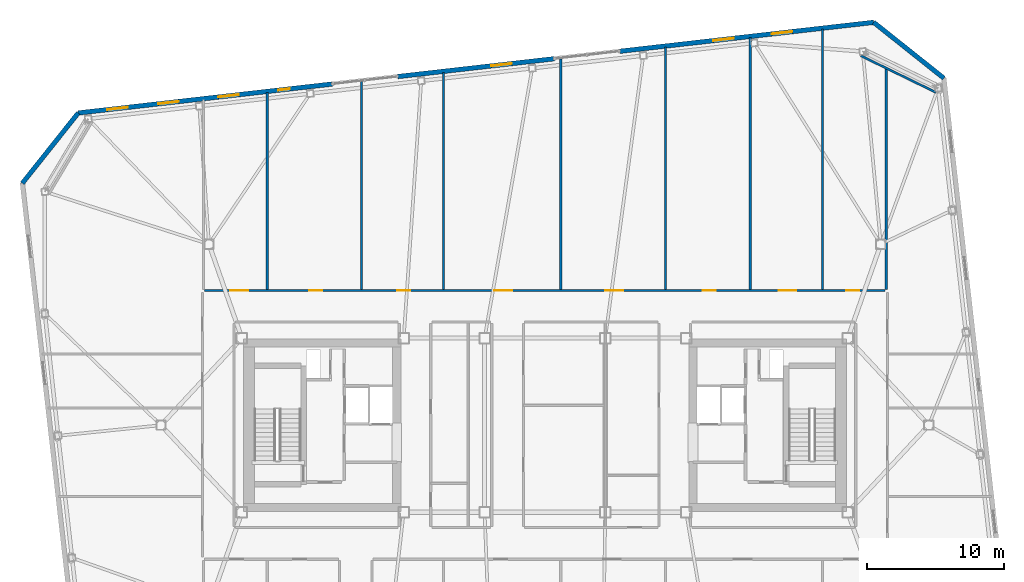
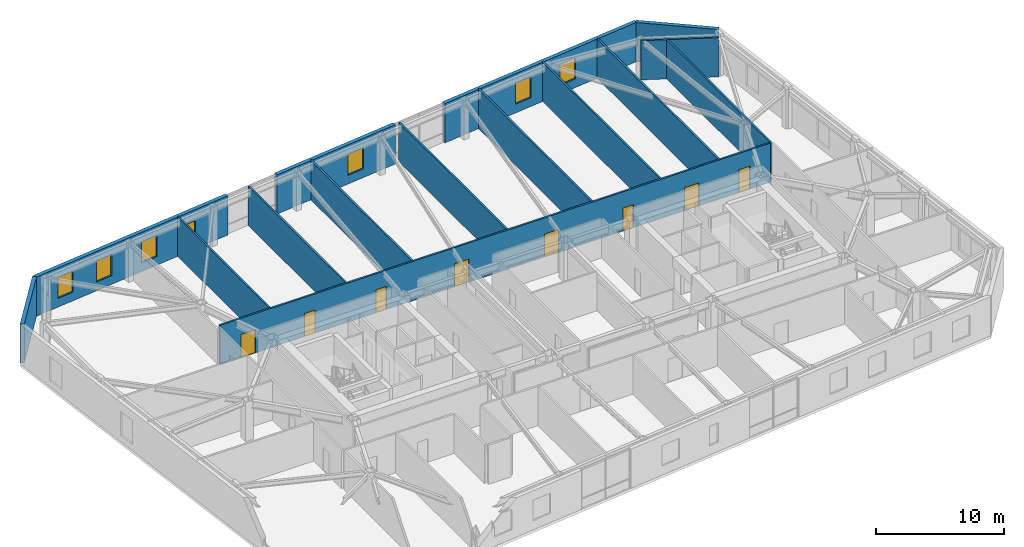
# One storey, part 15 of 19: 15 walls, 8 doors, 7 windows, 15 openings.
"""IFC4 building model written with IfcOpenShell, lengths in metres."""

import ifcopenshell
import ifcopenshell.guid

model = None  # the IFC model being written
_history = None  # IfcOwnerHistory: only IFC2X3 demands one
_inside = {}  # id of a spatial element -> (the spatial element, [elements in it])
_under = {}  # id of a project, library or spatial element -> (it, [spatial elements below it])
_declared = {}  # id of a project -> (the project, [libraries it declares])
_typed = {}  # id of a type object -> (the type object, [elements of that type])
_made_of = {}  # id of a material, layer set ... -> (it, [elements and type objects made of it])


def new_model(schema):
    """Start an empty IFC model of exactly this schema.

    Asked for "IFC4X3", IfcOpenShell would pick the latest addendum, in which some entities
    have other attributes; the version numbers below select the first issue.
    IFC2X3 requires an IfcOwnerHistory on every rooted entity: one is made here for all.
    """
    global model, _history
    if schema == "IFC4X3":
        model = ifcopenshell.file(schema_version=(4, 3, 0, 0))
    else:
        model = ifcopenshell.file(schema=schema)
    _inside.clear()
    _under.clear()
    _declared.clear()
    _typed.clear()
    _made_of.clear()
    _history = None
    if model.schema == "IFC2X3":
        org = make("IfcOrganization", Name="unknown")
        user = make(
            "IfcPersonAndOrganization",
            ThePerson=make("IfcPerson", FamilyName="unknown"),
            TheOrganization=org,
        )
        app = make(
            "IfcApplication",
            ApplicationDeveloper=org,
            Version="unknown",
            ApplicationFullName="unknown",
            ApplicationIdentifier="unknown",
        )
        _history = make(
            "IfcOwnerHistory",
            OwningUser=user,
            OwningApplication=app,
            ChangeAction="ADDED",
            CreationDate=0,
        )
    return model


def make(cls, **values):
    """One entity of the class cls with the attributes given. An attribute that is None is left unset."""
    return model.create_entity(
        cls, **{name: value for name, value in values.items() if value is not None}
    )


def rooted(cls, **values):
    """An entity with a GlobalId (a new one), such as an element, a storey or a relation."""
    return make(cls, GlobalId=ifcopenshell.guid.new(), OwnerHistory=_history, **values)


def si_unit(unit_type, name, prefix=None):
    """IfcSIUnit, for example si_unit("LENGTHUNIT", "METRE", prefix="MILLI")."""
    return make("IfcSIUnit", UnitType=unit_type, Prefix=prefix, Name=name)


def assignment(units):
    """IfcUnitAssignment: the units of a project."""
    return None if units is None else make("IfcUnitAssignment", Units=units)


def point(xyz):
    """IfcCartesianPoint."""
    return None if xyz is None else make("IfcCartesianPoint", Coordinates=xyz)


def direction(xyz):
    """IfcDirection."""
    return None if xyz is None else make("IfcDirection", DirectionRatios=xyz)


def frame(location, z_axis=None, x_axis=None):
    """IfcAxis2Placement3D, a coordinate frame: its origin and axes. An axis left out is left unset."""
    return make(
        "IfcAxis2Placement3D",
        Location=point(location),
        Axis=direction(z_axis),
        RefDirection=direction(x_axis),
    )


def frame_2d(location, x_axis=None):
    """IfcAxis2Placement2D, a coordinate frame in the plane: its origin and x axis."""
    return make(
        "IfcAxis2Placement2D", Location=point(location), RefDirection=direction(x_axis)
    )


def origin():
    """The frame at (0, 0, 0) with its axes left unset."""
    return frame((0.0, 0.0, 0.0))


def place(relative_to, where):
    """IfcLocalPlacement: puts the frame where relative to a parent placement (None: the world)."""
    return make(
        "IfcLocalPlacement", PlacementRelTo=relative_to, RelativePlacement=where
    )


def context(
    kind, dimensions, precision=None, world=None, true_north=None, identifier=None
):
    """IfcGeometricRepresentationContext, for example the 3D "Model" context."""
    return make(
        "IfcGeometricRepresentationContext",
        ContextIdentifier=identifier,
        ContextType=kind,
        CoordinateSpaceDimension=dimensions,
        Precision=precision,
        WorldCoordinateSystem=world,
        TrueNorth=true_north,
    )


def subcontext(parent, identifier, kind, view, scale=None):
    """IfcGeometricRepresentationSubContext, for example "Body" below "Model"."""
    return make(
        "IfcGeometricRepresentationSubContext",
        ContextIdentifier=identifier,
        ContextType=kind,
        ParentContext=parent,
        TargetScale=scale,
        TargetView=view,
    )


def project(units=None, contexts=None):
    """IfcProject with its units and contexts."""
    return rooted(
        "IfcProject",
        Name="project",
        RepresentationContexts=contexts,
        UnitsInContext=assignment(units),
    )


def spatial(cls, under=None, at=None, **own):
    """A site, building, storey or space (cls), placed at a placement, below another one or the project."""
    s = rooted(cls, ObjectPlacement=at, **own)
    if under is not None:
        _under.setdefault(under.id(), (under, []))[1].append(s)
    return s


def profile(cls, at=None, kind="AREA", **sizes):
    """A parametric profile (cls). Its sizes go by their IFC names, for example OverallWidth=200.0."""
    return make(cls, ProfileType=kind, Position=at, **sizes)


def rectangle(**sizes):
    """IfcRectangleProfileDef."""
    return profile("IfcRectangleProfileDef", **sizes)


def extrude(swept, where, along, depth):
    """IfcExtrudedAreaSolid: the profile swept, set in the frame where, extruded along a direction by depth."""
    return make(
        "IfcExtrudedAreaSolid",
        SweptArea=swept,
        Position=where,
        ExtrudedDirection=direction(along),
        Depth=depth,
    )


def shape(context_of_items, identifier, shape_type, items):
    """IfcShapeRepresentation: the items that make up one representation, for example the "Body"."""
    return make(
        "IfcShapeRepresentation",
        ContextOfItems=context_of_items,
        RepresentationIdentifier=identifier,
        RepresentationType=shape_type,
        Items=items,
    )


def material(Name=None, Category=None):
    """IfcMaterial."""
    return make("IfcMaterial", Name=Name, Category=Category)


def layer(
    of_material, thickness, ventilated=None, Name=None, Category=None, Priority=None
):
    """IfcMaterialLayer: one layer of a wall or slab, of a material (None: an air gap)."""
    return make(
        "IfcMaterialLayer",
        Material=of_material,
        LayerThickness=thickness,
        IsVentilated=ventilated,
        Name=Name,
        Category=Category,
        Priority=Priority,
    )


def layer_set(layers, Name=None):
    """IfcMaterialLayerSet."""
    return make("IfcMaterialLayerSet", MaterialLayers=layers, LayerSetName=Name)


def made_of(thing, what):
    """Note that an element or type object is made of a material, layer set ...; save() writes the relation."""
    if what is not None:
        _made_of.setdefault(what.id(), (what, []))[1].append(thing)
    return thing


def type_object(cls, material=None, **own):
    """A type object (cls), such as IfcWallType, which elements share."""
    return made_of(rooted(cls, **own), material)


def element(
    cls,
    number,
    at=None,
    inside=None,
    cuts=None,
    type_object=None,
    material=None,
    context=None,
    identifier="Body",
    shape_type=None,
    held_by="IfcProductDefinitionShape",
    body=None,
    shapes=None,
    **own,
):
    """One element of the class cls, such as IfcWall. Its Tag is "e" and its number.

    at: its placement. inside: the storey or other place that contains it. cuts: it is an
    opening in that element (IfcRelVoidsElement). A single representation is given by context,
    identifier, shape_type and body (its items); several are given by shapes. held_by: the class
    of the entity that holds the representations. save() writes the other relations.
    """
    e = rooted(cls, Tag="e%d" % number, ObjectPlacement=at, **own)
    if body is not None:
        shapes = [shape(context, identifier, shape_type, body)]
    if shapes is not None:
        e.Representation = make(held_by, Representations=shapes)
    if inside is not None:
        _inside.setdefault(inside.id(), (inside, []))[1].append(e)
    if cuts is not None:
        rooted(
            "IfcRelVoidsElement", RelatingBuildingElement=cuts, RelatedOpeningElement=e
        )
    if type_object is not None:
        _typed.setdefault(type_object.id(), (type_object, []))[1].append(e)
    return made_of(e, material)


def fill(opening, filler):
    """IfcRelFillsElement: the door or window that sits in an opening."""
    return rooted(
        "IfcRelFillsElement",
        RelatingOpeningElement=opening,
        RelatedBuildingElement=filler,
    )


def aggregate(whole, parts):
    """IfcRelAggregates: a whole, such as a stair, and the parts it consists of."""
    return rooted("IfcRelAggregates", RelatingObject=whole, RelatedObjects=parts)


def save(model, path):
    """Write the relations noted so far, then the file.

    IfcRelAggregates (storeys below a building ...), IfcRelContainedInSpatialStructure (elements
    in a storey), IfcRelDefinesByType, IfcRelAssociatesMaterial and IfcRelDeclares: one each for
    every whole, place, type object, material and project.
    """
    for whole, parts in _under.values():
        aggregate(whole, parts)
    for where, things in _inside.values():
        rooted(
            "IfcRelContainedInSpatialStructure",
            RelatedElements=things,
            RelatingStructure=where,
        )
    for kind, things in _typed.values():
        rooted("IfcRelDefinesByType", RelatedObjects=things, RelatingType=kind)
    for what, things in _made_of.values():
        rooted("IfcRelAssociatesMaterial", RelatedObjects=things, RelatingMaterial=what)
    for by, libraries in _declared.values():
        rooted("IfcRelDeclares", RelatingContext=by, RelatedDefinitions=libraries)
    model.write(path)


model = new_model("IFC4")

# Units and contexts
model_context = context("Model", 3, precision=1e-05, world=origin(), true_north=direction((0.0, 1.0)))
body_context = subcontext(model_context, "Body", "Model", "MODEL_VIEW")
ifc_project = project(units=[si_unit("LENGTHUNIT", "METRE"), si_unit("AREAUNIT", "SQUARE_METRE"), si_unit("VOLUMEUNIT", "CUBIC_METRE"), si_unit("PLANEANGLEUNIT", "RADIAN"), si_unit("MASSUNIT", "GRAM", prefix="KILO")], contexts=[model_context])

# Site, building, storey
site_placement = place(None, origin())
site = spatial("IfcSite", under=ifc_project, at=site_placement, CompositionType="ELEMENT")
building_placement = place(site_placement, origin())
building = spatial("IfcBuilding", under=site, at=building_placement, Name="Tavrogorsk Clinical Tower", CompositionType="ELEMENT")
storey_placement = place(building_placement, frame((0.0, 0.0, 263.0)))
storey = spatial("IfcBuildingStorey", under=building, at=storey_placement, Name="L61", CompositionType="ELEMENT", Elevation=263.0)

# Wall
ifc_material_1 = material(Name="Lightweight concrete blockwork B15", Category="masonry")
ifc_layer_1 = layer(ifc_material_1, 0.159912109375)
ifc_layer_set_1 = layer_set([ifc_layer_1], Name="Lightweight concrete blockwork B15")
wall_type_1 = type_object("IfcWallType", Name="PartitionWall_160", PredefinedType="PARTITIONING", material=ifc_layer_set_1)
wall_1_placement = place(storey_placement, frame((28.5283203125, 24.27099609375, 0.0), z_axis=(0.0, 0.0, 1.0), x_axis=(-0.898820692789, 0.438316509173, 0.0)))
element("IfcWall", 1, at=wall_1_placement, inside=storey, type_object=wall_type_1, Name="L61 Corner Exoskeleton Brace Furring Wall 2", PredefinedType="PARTITIONING", context=body_context, shape_type="SweptSolid", body=[
    extrude(rectangle(XDim=6.10693359375, YDim=0.159912109375, at=frame_2d((3.053466796875, 0.0))), origin(), (0.0, 0.0, 1.0), 3.739990234375),
])

# Wall, openings, doors
wall_2_placement = place(storey_placement, frame((-24.81494140625, 9.830078125, 0.0), z_axis=(0.0, 0.0, 1.0), x_axis=(1.0, 0.0, 0.0)))
wall_2 = element("IfcWall", 2, at=wall_2_placement, inside=storey, type_object=wall_type_1, Name="L61 Corridor Partition 02", PredefinedType="PARTITIONING", context=body_context, shape_type="SweptSolid", body=[
    extrude(rectangle(XDim=49.6298828125, YDim=0.159912109375, at=frame_2d((24.81494140625, 0.0))), origin(), (0.0, 0.0, 1.0), 3.739990234375),
])
opening_1_placement = place(wall_2_placement, frame((1.869140625, 0.0, 0.0)))
opening_1 = element("IfcOpeningElement", 3, at=opening_1_placement, cuts=wall_2, Name="Opening ID-01", PredefinedType="OPENING", context=body_context, shape_type="SweptSolid", body=[
    extrude(rectangle(XDim=1.300048828125, YDim=2.199951171875, at=frame_2d((0.64990234375, 1.10009765625))), frame((0.0, 0.08984375, 0.0), z_axis=(0.0, -1.0, 0.0), x_axis=(1.0, 0.0, 0.0)), (0.0, 0.0, 1.0), 0.179931640625),
])
opening_2_placement = place(wall_2_placement, frame((7.612548828125, 0.0, 0.0)))
opening_2 = element("IfcOpeningElement", 4, at=opening_2_placement, cuts=wall_2, Name="Opening ID-02", PredefinedType="OPENING", context=body_context, shape_type="SweptSolid", body=[
    extrude(rectangle(XDim=0.949951171875, YDim=2.199951171875, at=frame_2d((0.47509765625, 1.10009765625))), frame((0.0, 0.08984375, 0.0), z_axis=(0.0, -1.0, 0.0), x_axis=(1.0, 0.0, 0.0)), (0.0, 0.0, 1.0), 0.179931640625),
])
opening_3_placement = place(wall_2_placement, frame((14.03759765625, 0.0, 0.0)))
opening_3 = element("IfcOpeningElement", 5, at=opening_3_placement, cuts=wall_2, Name="Opening ID-02", PredefinedType="OPENING", context=body_context, shape_type="SweptSolid", body=[
    extrude(rectangle(XDim=0.949951171875, YDim=2.199951171875, at=frame_2d((0.47509765625, 1.10009765625))), frame((0.0, 0.08984375, 0.0), z_axis=(0.0, -1.0, 0.0), x_axis=(1.0, 0.0, 0.0)), (0.0, 0.0, 1.0), 0.179931640625),
])
opening_4_placement = place(wall_2_placement, frame((21.125, 0.0, 0.0)))
opening_4 = element("IfcOpeningElement", 6, at=opening_4_placement, cuts=wall_2, Name="Opening ID-01", PredefinedType="OPENING", context=body_context, shape_type="SweptSolid", body=[
    extrude(rectangle(XDim=1.300048828125, YDim=2.199951171875, at=frame_2d((0.64990234375, 1.10009765625))), frame((0.0, 0.08984375, 0.0), z_axis=(0.0, -1.0, 0.0), x_axis=(1.0, 0.0, 0.0)), (0.0, 0.0, 1.0), 0.179931640625),
])
opening_5_placement = place(wall_2_placement, frame((29.22509765625, 0.0, 0.0)))
opening_5 = element("IfcOpeningElement", 7, at=opening_5_placement, cuts=wall_2, Name="Opening ID-01", PredefinedType="OPENING", context=body_context, shape_type="SweptSolid", body=[
    extrude(rectangle(XDim=1.300048828125, YDim=2.199951171875, at=frame_2d((0.64990234375, 1.10009765625))), frame((0.0, 0.08984375, 0.0), z_axis=(0.0, -1.0, 0.0), x_axis=(1.0, 0.0, 0.0)), (0.0, 0.0, 1.0), 0.179931640625),
])
opening_6_placement = place(wall_2_placement, frame((36.3125, 0.0, 0.0)))
opening_6 = element("IfcOpeningElement", 8, at=opening_6_placement, cuts=wall_2, Name="Opening ID-02", PredefinedType="OPENING", context=body_context, shape_type="SweptSolid", body=[
    extrude(rectangle(XDim=0.949951171875, YDim=2.199951171875, at=frame_2d((0.47509765625, 1.10009765625))), frame((0.0, 0.08984375, 0.0), z_axis=(0.0, -1.0, 0.0), x_axis=(1.0, 0.0, 0.0)), (0.0, 0.0, 1.0), 0.179931640625),
])
opening_7_placement = place(wall_2_placement, frame((41.862548828125, 0.0, 0.0)))
opening_7 = element("IfcOpeningElement", 9, at=opening_7_placement, cuts=wall_2, Name="Opening ID-01", PredefinedType="OPENING", context=body_context, shape_type="SweptSolid", body=[
    extrude(rectangle(XDim=1.300048828125, YDim=2.199951171875, at=frame_2d((0.64990234375, 1.10009765625))), frame((0.0, 0.08984375, 0.0), z_axis=(0.0, -1.0, 0.0), x_axis=(1.0, 0.0, 0.0)), (0.0, 0.0, 1.0), 0.179931640625),
])
opening_8_placement = place(wall_2_placement, frame((46.805908203125, 0.0, 0.0)))
opening_8 = element("IfcOpeningElement", 10, at=opening_8_placement, cuts=wall_2, Name="Opening ID-02", PredefinedType="OPENING", context=body_context, shape_type="SweptSolid", body=[
    extrude(rectangle(XDim=0.949951171875, YDim=2.199951171875, at=frame_2d((0.47509765625, 1.10009765625))), frame((0.0, 0.08984375, 0.0), z_axis=(0.0, -1.0, 0.0), x_axis=(1.0, 0.0, 0.0)), (0.0, 0.0, 1.0), 0.179931640625),
])
ifc_material_2 = material(Name="Laminated timber leaf on aluminium frame", Category="wood")
door_type_1 = type_object("IfcDoorType", Name="InteriorDoor_ID02_950", OperationType="NOTDEFINED", PredefinedType="DOOR", material=ifc_material_2)
door_1_placement = place(opening_2_placement, origin())
door_1 = element("IfcDoor", 11, at=door_1_placement, inside=storey, type_object=door_type_1, Name="L61 North Multidisciplinary Case Room 02A Door", OperationType="SINGLE_SWING_RIGHT", OverallHeight=2.199951171875, OverallWidth=0.949951171875, PredefinedType="DOOR", context=body_context, shape_type="SweptSolid", body=[
    extrude(rectangle(XDim=0.949951171875, YDim=2.199951171875, at=frame_2d((0.47509765625, 1.10009765625))), frame((0.0, 0.02490234375, 0.0), z_axis=(0.0, -1.0, 0.0), x_axis=(1.0, 0.0, 0.0)), (0.0, 0.0, 1.0), 0.050048828125),
])
fill(opening_2, door_1)
door_2_placement = place(opening_3_placement, origin())
door_2 = element("IfcDoor", 12, at=door_2_placement, inside=storey, type_object=door_type_1, Name="L61 North Patient & Family Quiet Lounge 02B Door", OperationType="SINGLE_SWING_LEFT", OverallHeight=2.199951171875, OverallWidth=0.949951171875, PredefinedType="DOOR", context=body_context, shape_type="SweptSolid", body=[
    extrude(rectangle(XDim=0.949951171875, YDim=2.199951171875, at=frame_2d((0.47509765625, 1.10009765625))), frame((0.0, 0.02490234375, 0.0), z_axis=(0.0, -1.0, 0.0), x_axis=(1.0, 0.0, 0.0)), (0.0, 0.0, 1.0), 0.050048828125),
])
fill(opening_3, door_2)
door_3_placement = place(opening_6_placement, origin())
door_3 = element("IfcDoor", 13, at=door_3_placement, inside=storey, type_object=door_type_1, Name="L61 North Clinical Examination Suite 04A Door", OperationType="SINGLE_SWING_RIGHT", OverallHeight=2.199951171875, OverallWidth=0.949951171875, PredefinedType="DOOR", context=body_context, shape_type="SweptSolid", body=[
    extrude(rectangle(XDim=0.949951171875, YDim=2.199951171875, at=frame_2d((0.47509765625, 1.10009765625))), frame((0.0, 0.02490234375, 0.0), z_axis=(0.0, -1.0, 0.0), x_axis=(1.0, 0.0, 0.0)), (0.0, 0.0, 1.0), 0.050048828125),
])
fill(opening_6, door_3)
door_4_placement = place(opening_8_placement, origin())
door_4 = element("IfcDoor", 14, at=door_4_placement, inside=storey, type_object=door_type_1, Name="L61 North Diagnostic Ultrasound Suite 05 Door", OperationType="SINGLE_SWING_RIGHT", OverallHeight=2.199951171875, OverallWidth=0.949951171875, PredefinedType="DOOR", context=body_context, shape_type="SweptSolid", body=[
    extrude(rectangle(XDim=0.949951171875, YDim=2.199951171875, at=frame_2d((0.47509765625, 1.10009765625))), frame((0.0, 0.02490234375, 0.0), z_axis=(0.0, -1.0, 0.0), x_axis=(1.0, 0.0, 0.0)), (0.0, 0.0, 1.0), 0.050048828125),
])
fill(opening_8, door_4)
ifc_material_3 = material(Name="Antibacterial HPL medical leaf on aluminium frame", Category="aluminium")
door_type_2 = type_object("IfcDoorType", Name="WardBedDoor_ID01_1300", OperationType="NOTDEFINED", PredefinedType="DOOR", material=ifc_material_3)
door_5_placement = place(opening_1_placement, origin())
door_5 = element("IfcDoor", 15, at=door_5_placement, inside=storey, type_object=door_type_2, Name="L61 North Sub-Acute Recovery Ward 01 Door", OperationType="SINGLE_SWING_LEFT", OverallHeight=2.199951171875, OverallWidth=1.300048828125, PredefinedType="DOOR", context=body_context, shape_type="SweptSolid", body=[
    extrude(rectangle(XDim=1.300048828125, YDim=2.199951171875, at=frame_2d((0.64990234375, 1.10009765625))), frame((0.0, 0.02490234375, 0.0), z_axis=(0.0, -1.0, 0.0), x_axis=(1.0, 0.0, 0.0)), (0.0, 0.0, 1.0), 0.050048828125),
])
fill(opening_1, door_5)
door_6_placement = place(opening_4_placement, origin())
door_6 = element("IfcDoor", 16, at=door_6_placement, inside=storey, type_object=door_type_2, Name="L61 North Inpatient Clinical Ward 03A Door", OperationType="SINGLE_SWING_RIGHT", OverallHeight=2.199951171875, OverallWidth=1.300048828125, PredefinedType="DOOR", context=body_context, shape_type="SweptSolid", body=[
    extrude(rectangle(XDim=1.300048828125, YDim=2.199951171875, at=frame_2d((0.64990234375, 1.10009765625))), frame((0.0, 0.02490234375, 0.0), z_axis=(0.0, -1.0, 0.0), x_axis=(1.0, 0.0, 0.0)), (0.0, 0.0, 1.0), 0.050048828125),
])
fill(opening_4, door_6)
door_7_placement = place(opening_5_placement, origin())
door_7 = element("IfcDoor", 17, at=door_7_placement, inside=storey, type_object=door_type_2, Name="L61 North Acute Isolation Suite 03B Door", OperationType="SINGLE_SWING_LEFT", OverallHeight=2.199951171875, OverallWidth=1.300048828125, PredefinedType="DOOR", context=body_context, shape_type="SweptSolid", body=[
    extrude(rectangle(XDim=1.300048828125, YDim=2.199951171875, at=frame_2d((0.64990234375, 1.10009765625))), frame((0.0, 0.02490234375, 0.0), z_axis=(0.0, -1.0, 0.0), x_axis=(1.0, 0.0, 0.0)), (0.0, 0.0, 1.0), 0.050048828125),
])
fill(opening_5, door_7)
door_8_placement = place(opening_7_placement, origin())
door_8 = element("IfcDoor", 18, at=door_8_placement, inside=storey, type_object=door_type_2, Name="L61 North Sub-Acute Recovery Ward 04B Door", OperationType="SINGLE_SWING_LEFT", OverallHeight=2.199951171875, OverallWidth=1.300048828125, PredefinedType="DOOR", context=body_context, shape_type="SweptSolid", body=[
    extrude(rectangle(XDim=1.300048828125, YDim=2.199951171875, at=frame_2d((0.64990234375, 1.10009765625))), frame((0.0, 0.02490234375, 0.0), z_axis=(0.0, -1.0, 0.0), x_axis=(1.0, 0.0, 0.0)), (0.0, 0.0, 1.0), 0.050048828125),
])
fill(opening_7, door_8)

# Walls
wall_3_placement = place(storey_placement, frame((24.89990234375, 9.9150390625, 0.0), z_axis=(0.0, 0.0, 1.0), x_axis=(0.0, 1.0, 0.0)))
element("IfcWall", 19, at=wall_3_placement, inside=storey, type_object=wall_type_1, Name="L61 NE Wing Closure Partition", PredefinedType="PARTITIONING", context=body_context, shape_type="SweptSolid", body=[
    extrude(rectangle(XDim=16.12939453125, YDim=0.159912109375, at=frame_2d((8.064697265625, 0.0))), origin(), (0.0, 0.0, 1.0), 3.739990234375),
])
wall_4_placement = place(storey_placement, frame((-20.25, 9.9150390625, 0.0), z_axis=(0.0, 0.0, 1.0), x_axis=(0.0, 1.0, 0.0)))
element("IfcWall", 20, at=wall_4_placement, inside=storey, type_object=wall_type_1, Name="L61 North Room Partition 1", PredefinedType="PARTITIONING", context=body_context, shape_type="SweptSolid", body=[
    extrude(rectangle(XDim=14.361083984375, YDim=0.159912109375, at=frame_2d((7.1806640625, 0.0))), origin(), (0.0, 0.0, 1.0), 3.739990234375),
])
wall_5_placement = place(storey_placement, frame((-7.39990234375, 9.9150390625, 0.0), z_axis=(0.0, 0.0, 1.0), x_axis=(0.0, 1.0, 0.0)))
element("IfcWall", 21, at=wall_5_placement, inside=storey, type_object=wall_type_1, Name="L61 North Room Partition 2", PredefinedType="PARTITIONING", context=body_context, shape_type="SweptSolid", body=[
    extrude(rectangle(XDim=15.8251953125, YDim=0.159912109375, at=frame_2d((7.91259765625, 0.0))), origin(), (0.0, 0.0, 1.0), 3.739990234375),
])
wall_6_placement = place(storey_placement, frame((8.800048828125, 9.9150390625, 0.0), z_axis=(0.0, 0.0, 1.0), x_axis=(0.0, 1.0, 0.0)))
element("IfcWall", 22, at=wall_6_placement, inside=storey, type_object=wall_type_1, Name="L61 North Room Partition 3", PredefinedType="PARTITIONING", context=body_context, shape_type="SweptSolid", body=[
    extrude(rectangle(XDim=17.6708984375, YDim=0.159912109375, at=frame_2d((8.83544921875, 0.0))), origin(), (0.0, 0.0, 1.0), 3.739990234375),
])
wall_7_placement = place(storey_placement, frame((20.25, 9.9150390625, 0.0), z_axis=(0.0, 0.0, 1.0), x_axis=(0.0, 1.0, 0.0)))
element("IfcWall", 23, at=wall_7_placement, inside=storey, type_object=wall_type_1, Name="L61 North Room Partition 4", PredefinedType="PARTITIONING", context=body_context, shape_type="SweptSolid", body=[
    extrude(rectangle(XDim=18.975341796875, YDim=0.159912109375, at=frame_2d((9.48779296875, 0.0))), origin(), (0.0, 0.0, 1.0), 3.739990234375),
])
wall_8_placement = place(storey_placement, frame((-13.375, 9.9150390625, 0.0), z_axis=(0.0, 0.0, 1.0), x_axis=(0.0, 1.0, 0.0)))
element("IfcWall", 24, at=wall_8_placement, inside=storey, type_object=wall_type_1, Name="L61 North Sub-Partition 2", PredefinedType="PARTITIONING", context=body_context, shape_type="SweptSolid", body=[
    extrude(rectangle(XDim=15.144287109375, YDim=0.159912109375, at=frame_2d((7.572265625, 0.0))), origin(), (0.0, 0.0, 1.0), 3.739990234375),
])
wall_9_placement = place(storey_placement, frame((1.14990234375, 9.9150390625, 0.0), z_axis=(0.0, 0.0, 1.0), x_axis=(0.0, 1.0, 0.0)))
element("IfcWall", 25, at=wall_9_placement, inside=storey, type_object=wall_type_1, Name="L61 North Sub-Partition 3", PredefinedType="PARTITIONING", context=body_context, shape_type="SweptSolid", body=[
    extrude(rectangle(XDim=16.79931640625, YDim=0.159912109375, at=frame_2d((8.399658203125, 0.0))), origin(), (0.0, 0.0, 1.0), 3.739990234375),
])
wall_10_placement = place(storey_placement, frame((14.97509765625, 9.9150390625, 0.0), z_axis=(0.0, 0.0, 1.0), x_axis=(0.0, 1.0, 0.0)))
element("IfcWall", 26, at=wall_10_placement, inside=storey, type_object=wall_type_1, Name="L61 North Sub-Partition 4", PredefinedType="PARTITIONING", context=body_context, shape_type="SweptSolid", body=[
    extrude(rectangle(XDim=18.37451171875, YDim=0.159912109375, at=frame_2d((9.187255859375, 0.0))), origin(), (0.0, 0.0, 1.0), 3.739990234375),
])

# Wall, openings, windows
ifc_material_4 = material(Name="Precast concrete B45 with limestone cladding", Category="masonry")
ifc_layer_2 = layer(ifc_material_4, 0.340087890625)
ifc_layer_set_2 = layer_set([ifc_layer_2], Name="Precast concrete B45 with limestone cladding")
wall_type_2 = type_object("IfcWallType", Name="PrecastLimestoneWall_340", PredefinedType="STANDARD", material=ifc_layer_set_2)
wall_11_placement = place(storey_placement, frame((23.982666015625, 29.38623046875, 0.0), z_axis=(0.0, 0.0, 1.0), x_axis=(-0.993572271362, -0.113199565282, 0.0)))
wall_11 = element("IfcWall", 27, at=wall_11_placement, inside=storey, type_object=wall_type_2, Name="L61 N Limestone Facade Wall 1", PredefinedType="STANDARD", context=body_context, shape_type="SweptSolid", body=[
    extrude(rectangle(XDim=18.6513671875, YDim=0.340087890625, at=frame_2d((9.32568359375, 0.0))), origin(), (0.0, 0.0, 1.0), 3.739990234375),
])
opening_9_placement = place(wall_11_placement, frame((10.27880859375, 0.0, 0.830078125)))
opening_9 = element("IfcOpeningElement", 28, at=opening_9_placement, cuts=wall_11, Name="Opening WN-05", PredefinedType="OPENING", context=body_context, shape_type="SweptSolid", body=[
    extrude(rectangle(XDim=1.5, YDim=2.0, at=frame_2d((0.75, 1.0))), frame((0.0, 0.179931640625, 0.0), z_axis=(0.0, -1.0, 0.0), x_axis=(1.0, 0.0, 0.0)), (0.0, 0.0, 1.0), 0.360107421875),
])
opening_10_placement = place(wall_11_placement, frame((5.97314453125, 0.0, 0.830078125)))
opening_10 = element("IfcOpeningElement", 29, at=opening_10_placement, cuts=wall_11, Name="Opening WN-05", PredefinedType="OPENING", context=body_context, shape_type="SweptSolid", body=[
    extrude(rectangle(XDim=1.5, YDim=2.0, at=frame_2d((0.75, 1.0))), frame((0.0, 0.179931640625, 0.0), z_axis=(0.0, -1.0, 0.0), x_axis=(1.0, 0.0, 0.0)), (0.0, 0.0, 1.0), 0.360107421875),
])
ifc_material_5 = material(Name="Thermally broken aluminium frame and triple IGU", Category="aluminium")
window_type_1 = type_object("IfcWindowType", Name="ConsultWin_1500x2000", PartitioningType="SINGLE_PANEL", PredefinedType="WINDOW", material=ifc_material_5)
window_1_placement = place(opening_9_placement, origin())
window_1 = element("IfcWindow", 30, at=window_1_placement, inside=storey, type_object=window_type_1, Name="L61 N Chicago Window 08", OverallHeight=2.0, OverallWidth=1.5, PartitioningType="SINGLE_PANEL", PredefinedType="WINDOW", context=body_context, shape_type="SweptSolid", body=[
    extrude(rectangle(XDim=1.5, YDim=2.0, at=frame_2d((0.75, 1.0))), frame((0.0, 0.030029296875, 0.0), z_axis=(0.0, -1.0, 0.0), x_axis=(1.0, 0.0, 0.0)), (0.0, 0.0, 1.0), 0.06005859375),
])
fill(opening_9, window_1)
window_2_placement = place(opening_10_placement, origin())
window_2 = element("IfcWindow", 31, at=window_2_placement, inside=storey, type_object=window_type_1, Name="L61 N Chicago Window 09", OverallHeight=2.0, OverallWidth=1.5, PartitioningType="SINGLE_PANEL", PredefinedType="WINDOW", context=body_context, shape_type="SweptSolid", body=[
    extrude(rectangle(XDim=1.5, YDim=2.0, at=frame_2d((0.75, 1.0))), frame((0.0, 0.030029296875, 0.0), z_axis=(0.0, -1.0, 0.0), x_axis=(1.0, 0.0, 0.0)), (0.0, 0.0, 1.0), 0.06005859375),
])
fill(opening_10, window_2)

# Wall, opening, window
wall_12_placement = place(storey_placement, frame((0.681884765625, 26.7314453125, 0.0), z_axis=(0.0, 0.0, 1.0), x_axis=(-0.993571968199, -0.113202226169, 0.0)))
wall_12 = element("IfcWall", 32, at=wall_12_placement, inside=storey, type_object=wall_type_2, Name="L61 N Limestone Facade Wall 2", PredefinedType="STANDARD", context=body_context, shape_type="SweptSolid", body=[
    extrude(rectangle(XDim=11.497314453125, YDim=0.340087890625, at=frame_2d((5.74853515625, 0.0))), origin(), (0.0, 0.0, 1.0), 3.739990234375),
])
opening_11_placement = place(wall_12_placement, frame((3.12451171875, 0.0, 0.830078125)))
opening_11 = element("IfcOpeningElement", 33, at=opening_11_placement, cuts=wall_12, Name="Opening WN-05", PredefinedType="OPENING", context=body_context, shape_type="SweptSolid", body=[
    extrude(rectangle(XDim=1.5, YDim=2.0, at=frame_2d((0.75, 1.0))), frame((0.0, 0.179931640625, 0.0), z_axis=(0.0, -1.0, 0.0), x_axis=(1.0, 0.0, 0.0)), (0.0, 0.0, 1.0), 0.360107421875),
])
window_3_placement = place(opening_11_placement, origin())
window_3 = element("IfcWindow", 34, at=window_3_placement, inside=storey, type_object=window_type_1, Name="L61 N Chicago Window 06", OverallHeight=2.0, OverallWidth=1.5, PartitioningType="SINGLE_PANEL", PredefinedType="WINDOW", context=body_context, shape_type="SweptSolid", body=[
    extrude(rectangle(XDim=1.5, YDim=2.0, at=frame_2d((0.75, 1.0))), frame((0.0, 0.030029296875, 0.0), z_axis=(0.0, -1.0, 0.0), x_axis=(1.0, 0.0, 0.0)), (0.0, 0.0, 1.0), 0.06005859375),
])
fill(opening_11, window_3)

# Wall, openings, windows
wall_13_placement = place(storey_placement, frame((-15.510498046875, 24.886474609375, 0.0), z_axis=(0.0, 0.0, 1.0), x_axis=(-0.993572271362, -0.113199565282, 0.0)))
wall_13 = element("IfcWall", 35, at=wall_13_placement, inside=storey, type_object=wall_type_2, Name="L61 N Limestone Facade Wall 3", PredefinedType="STANDARD", context=body_context, shape_type="SweptSolid", body=[
    extrude(rectangle(XDim=18.6513671875, YDim=0.340087890625, at=frame_2d((9.32568359375, 0.0))), origin(), (0.0, 0.0, 1.0), 3.739990234375),
])
opening_12_placement = place(wall_13_placement, frame((15.021240234375, 0.0, 0.830078125)))
opening_12 = element("IfcOpeningElement", 36, at=opening_12_placement, cuts=wall_13, Name="Opening WN-05", PredefinedType="OPENING", context=body_context, shape_type="SweptSolid", body=[
    extrude(rectangle(XDim=1.5, YDim=2.0, at=frame_2d((0.75, 1.0))), frame((0.0, 0.179931640625, 0.0), z_axis=(0.0, -1.0, 0.0), x_axis=(1.0, 0.0, 0.0)), (0.0, 0.0, 1.0), 0.360107421875),
])
opening_13_placement = place(wall_13_placement, frame((11.27294921875, 0.0, 0.830078125)))
opening_13 = element("IfcOpeningElement", 37, at=opening_13_placement, cuts=wall_13, Name="Opening WN-05", PredefinedType="OPENING", context=body_context, shape_type="SweptSolid", body=[
    extrude(rectangle(XDim=1.5, YDim=2.0, at=frame_2d((0.75, 1.0))), frame((0.0, 0.179931640625, 0.0), z_axis=(0.0, -1.0, 0.0), x_axis=(1.0, 0.0, 0.0)), (0.0, 0.0, 1.0), 0.360107421875),
])
opening_14_placement = place(wall_13_placement, frame((6.872802734375, 0.0, 0.830078125)))
opening_14 = element("IfcOpeningElement", 38, at=opening_14_placement, cuts=wall_13, Name="Opening WN-05", PredefinedType="OPENING", context=body_context, shape_type="SweptSolid", body=[
    extrude(rectangle(XDim=1.5, YDim=2.0, at=frame_2d((0.75, 1.0))), frame((0.0, 0.179931640625, 0.0), z_axis=(0.0, -1.0, 0.0), x_axis=(1.0, 0.0, 0.0)), (0.0, 0.0, 1.0), 0.360107421875),
])
opening_15_placement = place(wall_13_placement, frame((3.12451171875, 0.0, 0.830078125)))
opening_15 = element("IfcOpeningElement", 39, at=opening_15_placement, cuts=wall_13, Name="Opening WN-06", PredefinedType="OPENING", context=body_context, shape_type="SweptSolid", body=[
    extrude(rectangle(XDim=0.85009765625, YDim=1.85009765625, at=frame_2d((0.425048828125, 0.925048828125))), frame((0.0, 0.179931640625, 0.0), z_axis=(0.0, -1.0, 0.0), x_axis=(1.0, 0.0, 0.0)), (0.0, 0.0, 1.0), 0.360107421875),
])
window_4_placement = place(opening_12_placement, origin())
window_4 = element("IfcWindow", 40, at=window_4_placement, inside=storey, type_object=window_type_1, Name="L61 N Chicago Window 01", OverallHeight=2.0, OverallWidth=1.5, PartitioningType="SINGLE_PANEL", PredefinedType="WINDOW", context=body_context, shape_type="SweptSolid", body=[
    extrude(rectangle(XDim=1.5, YDim=2.0, at=frame_2d((0.75, 1.0))), frame((0.0, 0.030029296875, 0.0), z_axis=(0.0, -1.0, 0.0), x_axis=(1.0, 0.0, 0.0)), (0.0, 0.0, 1.0), 0.06005859375),
])
fill(opening_12, window_4)
window_5_placement = place(opening_13_placement, origin())
window_5 = element("IfcWindow", 41, at=window_5_placement, inside=storey, type_object=window_type_1, Name="L61 N Chicago Window 02", OverallHeight=2.0, OverallWidth=1.5, PartitioningType="SINGLE_PANEL", PredefinedType="WINDOW", context=body_context, shape_type="SweptSolid", body=[
    extrude(rectangle(XDim=1.5, YDim=2.0, at=frame_2d((0.75, 1.0))), frame((0.0, 0.030029296875, 0.0), z_axis=(0.0, -1.0, 0.0), x_axis=(1.0, 0.0, 0.0)), (0.0, 0.0, 1.0), 0.06005859375),
])
fill(opening_13, window_5)
window_6_placement = place(opening_14_placement, origin())
window_6 = element("IfcWindow", 42, at=window_6_placement, inside=storey, type_object=window_type_1, Name="L61 N Chicago Window 03", OverallHeight=2.0, OverallWidth=1.5, PartitioningType="SINGLE_PANEL", PredefinedType="WINDOW", context=body_context, shape_type="SweptSolid", body=[
    extrude(rectangle(XDim=1.5, YDim=2.0, at=frame_2d((0.75, 1.0))), frame((0.0, 0.030029296875, 0.0), z_axis=(0.0, -1.0, 0.0), x_axis=(1.0, 0.0, 0.0)), (0.0, 0.0, 1.0), 0.06005859375),
])
fill(opening_14, window_6)
ifc_material_6 = material(Name="Thermally broken aluminium frame and triple IGU", Category="aluminium")
window_type_2 = type_object("IfcWindowType", Name="MullionSubWin_850x1850", PartitioningType="SINGLE_PANEL", PredefinedType="WINDOW", material=ifc_material_6)
window_7_placement = place(opening_15_placement, origin())
window_7 = element("IfcWindow", 43, at=window_7_placement, inside=storey, type_object=window_type_2, Name="L61 N Mullion Split Window 04A", OverallHeight=1.85009765625, OverallWidth=0.85009765625, PartitioningType="SINGLE_PANEL", PredefinedType="WINDOW", context=body_context, shape_type="SweptSolid", body=[
    extrude(rectangle(XDim=0.85009765625, YDim=1.85009765625, at=frame_2d((0.425048828125, 0.925048828125))), frame((0.0, 0.030029296875, 0.0), z_axis=(0.0, -1.0, 0.0), x_axis=(1.0, 0.0, 0.0)), (0.0, 0.0, 1.0), 0.06005859375),
])
fill(opening_15, window_7)

# Walls
for number, where, z_axis, x_axis, name in (
    (44, (29.10693359375, 25.31005859375, 0.0), (0.0, 0.0, 1.0), (-0.78259733853, 0.62252823689, 0.0), "L61 Chamfered Corner Wall 2"),
    (45, (-34.0419921875, 22.775146484375, 0.0), (0.0, 0.0, 1.0), (-0.62252823689, -0.78259733853, 0.0), "L61 Chamfered Corner Wall 3"),
):
    element("IfcWall", number, at=place(storey_placement, frame(where, z_axis=z_axis, x_axis=x_axis)), inside=storey, type_object=wall_type_2, Name=name, PredefinedType="STANDARD", context=body_context, shape_type="SweptSolid", body=[
        extrude(rectangle(XDim=6.5478515625, YDim=0.340087890625, at=frame_2d((3.27392578125, 0.0))), origin(), (0.0, 0.0, 1.0), 3.739990234375),
    ])

save(model, "model.ifc")
